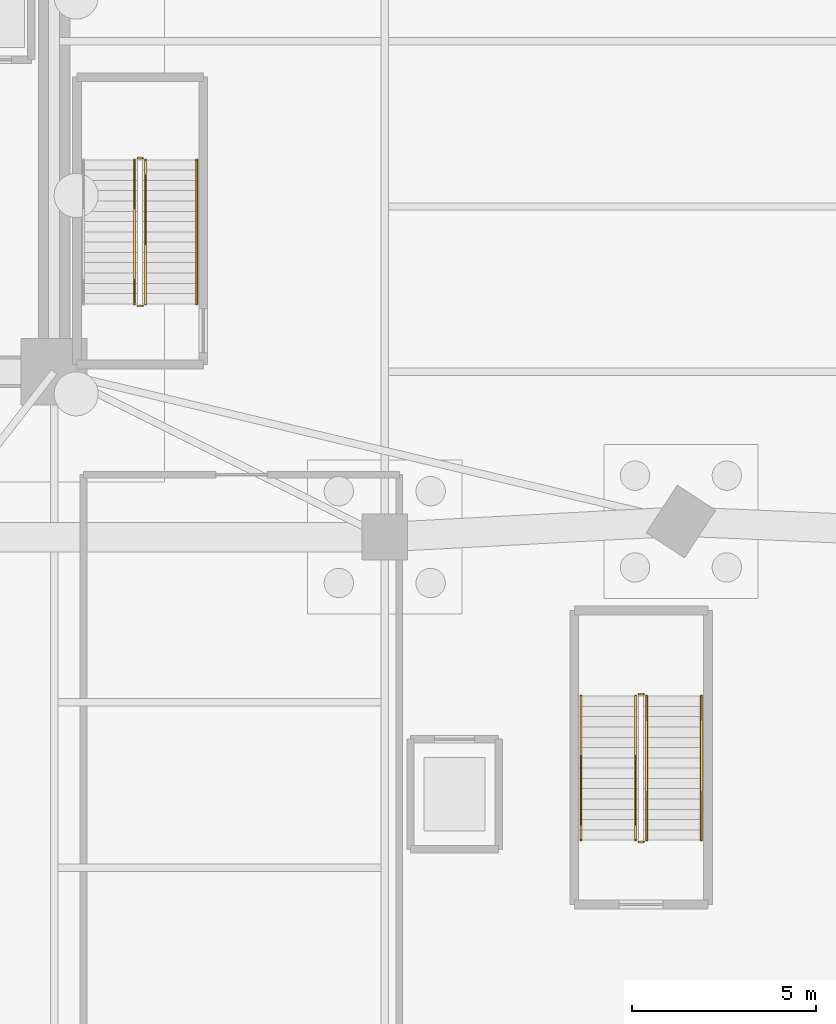
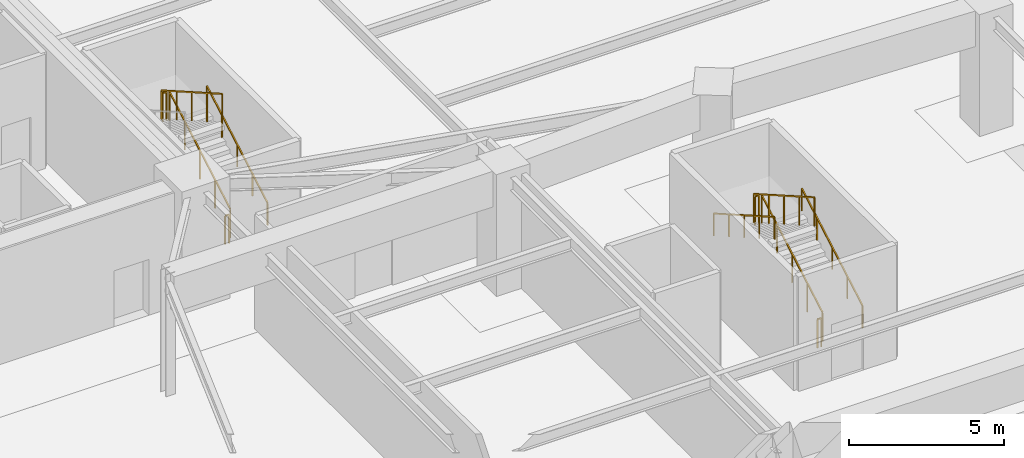
# One storey, part 17 of 19: 11 railings.
"""IFC4 building model written with IfcOpenShell, lengths in metres."""

from ifc_helpers import new_model, si_unit, direction, frame, origin, origin_2d, place, context, subcontext, project, spatial, rectangle, extrude, material, type_object, element, save


model = new_model("IFC4")

# Units and contexts
model_context = context("Model", 3, precision=1e-05, world=origin(), true_north=direction((0.0, 1.0)))
body_context = subcontext(model_context, "Body", "Model", "MODEL_VIEW")
ifc_project = project(units=[si_unit("LENGTHUNIT", "METRE"), si_unit("AREAUNIT", "SQUARE_METRE"), si_unit("VOLUMEUNIT", "CUBIC_METRE"), si_unit("PLANEANGLEUNIT", "RADIAN"), si_unit("MASSUNIT", "GRAM", prefix="KILO")], contexts=[model_context])

# Site, building, storey
site_placement = place(None, origin())
site = spatial("IfcSite", under=ifc_project, at=site_placement, CompositionType="ELEMENT")
building_placement = place(site_placement, origin())
building = spatial("IfcBuilding", under=site, at=building_placement, Name="Liaohun Quay Tower", CompositionType="ELEMENT")
storey_placement = place(building_placement, frame((0.0, 0.0, -9.60009765625)))
storey = spatial("IfcBuildingStorey", under=building, at=storey_placement, Name="B2", CompositionType="ELEMENT", Elevation=-9.60009765625)

# Railings
ifc_material_1 = material(Name="Painted tubular steel", Category="steel")
railing_type_1 = type_object("IfcRailingType", Name="RLG-GUARD-STR", PredefinedType="GUARDRAIL", material=ifc_material_1)
railing_1_placement = place(storey_placement, frame((71.489990234375, 48.35009765625, 0.16015625)))
element("IfcRailing", 1, at=railing_1_placement, inside=storey, type_object=railing_type_1, Name="B2 ST-2 stair guard 1", PredefinedType="GUARDRAIL", context=body_context, shape_type="SweptSolid", body=[
    extrude(rectangle(XDim=0.048095703125, YDim=0.048095703125, at=origin_2d()), frame((0.0, 0.0, 1.1259765625), z_axis=(0.0, 0.868239814368, 0.496144761885), x_axis=(-1.0, 0.0, 0.0)), (0.0, 0.0, 1.0), 4.514892578125),
    extrude(rectangle(XDim=0.0419921875, YDim=0.0419921875, at=origin_2d()), origin(), (0.0, 0.0, 1.0), 1.101806640625),
    extrude(rectangle(XDim=0.0419921875, YDim=0.0419921875, at=origin_2d()), frame((0.0, 0.97998046875, 0.56005859375)), (0.0, 0.0, 1.0), 1.101806640625),
    extrude(rectangle(XDim=0.0419921875, YDim=0.0419921875, at=origin_2d()), frame((0.0, 1.9599609375, 1.1201171875)), (0.0, 0.0, 1.0), 1.101806640625),
    extrude(rectangle(XDim=0.0419921875, YDim=0.0419921875, at=origin_2d()), frame((0.0, 2.93994140625, 1.679931640625)), (0.0, 0.0, 1.0), 1.101806640625),
    extrude(rectangle(XDim=0.0419921875, YDim=0.0419921875, at=origin_2d()), frame((0.0, 3.919921875, 2.239990234375)), (0.0, 0.0, 1.0), 1.101806640625),
])
railing_2_placement = place(storey_placement, frame((71.409912109375, 52.320068359375, 2.400146484375)))
element("IfcRailing", 2, at=railing_2_placement, inside=storey, type_object=railing_type_1, Name="B2 ST-2 stair guard 2", PredefinedType="GUARDRAIL", context=body_context, shape_type="SweptSolid", body=[
    extrude(rectangle(XDim=0.048095703125, YDim=0.048095703125, at=origin_2d()), frame((0.0, 0.0, 1.1259765625), z_axis=(-1.0, 0.0, 0.0), x_axis=(0.0, -1.0, 0.0)), (0.0, 0.0, 1.0), 0.139892578125),
    extrude(rectangle(XDim=0.0419921875, YDim=0.0419921875, at=origin_2d()), origin(), (0.0, 0.0, 1.0), 1.101806640625),
    extrude(rectangle(XDim=0.0419921875, YDim=0.0419921875, at=origin_2d()), frame((-0.139892578125, 0.0, 0.0)), (0.0, 0.0, 1.0), 1.101806640625),
])
railing_3_placement = place(storey_placement, frame((71.18994140625, 52.27001953125, 2.56005859375)))
element("IfcRailing", 3, at=railing_3_placement, inside=storey, type_object=railing_type_1, Name="B2 ST-2 stair guard 3", PredefinedType="GUARDRAIL", context=body_context, shape_type="SweptSolid", body=[
    extrude(rectangle(XDim=0.048095703125, YDim=0.048095703125, at=origin_2d()), frame((0.0, 0.0, 1.1259765625), z_axis=(0.0, -0.868239814368, 0.496144761885), x_axis=(1.0, 0.0, 0.0)), (0.0, 0.0, 1.0), 4.514892578125),
    extrude(rectangle(XDim=0.0419921875, YDim=0.0419921875, at=origin_2d()), origin(), (0.0, 0.0, 1.0), 1.101806640625),
    extrude(rectangle(XDim=0.0419921875, YDim=0.0419921875, at=origin_2d()), frame((0.0, -0.97998046875, 0.56005859375)), (0.0, 0.0, 1.0), 1.101806640625),
    extrude(rectangle(XDim=0.0419921875, YDim=0.0419921875, at=origin_2d()), frame((0.0, -1.9599609375, 1.1201171875)), (0.0, 0.0, 1.0), 1.101806640625),
    extrude(rectangle(XDim=0.0419921875, YDim=0.0419921875, at=origin_2d()), frame((0.0, -2.93994140625, 1.679931640625)), (0.0, 0.0, 1.0), 1.101806640625),
    extrude(rectangle(XDim=0.0419921875, YDim=0.0419921875, at=origin_2d()), frame((0.0, -3.919921875, 2.239990234375)), (0.0, 0.0, 1.0), 1.101806640625),
])
railing_4_placement = place(storey_placement, frame((71.409912109375, 48.300048828125, 0.0)))
element("IfcRailing", 4, at=railing_4_placement, inside=storey, type_object=railing_type_1, Name="B2 ST-2 stair guard 4", PredefinedType="GUARDRAIL", context=body_context, shape_type="SweptSolid", body=[
    extrude(rectangle(XDim=0.048095703125, YDim=0.048095703125, at=origin_2d()), frame((0.0, 0.0, 1.1259765625), z_axis=(-1.0, 0.0, 0.0), x_axis=(0.0, -1.0, 0.0)), (0.0, 0.0, 1.0), 0.139892578125),
    extrude(rectangle(XDim=0.0419921875, YDim=0.0419921875, at=origin_2d()), origin(), (0.0, 0.0, 1.0), 1.101806640625),
    extrude(rectangle(XDim=0.0419921875, YDim=0.0419921875, at=origin_2d()), frame((-0.139892578125, 0.0, 0.0)), (0.0, 0.0, 1.0), 1.101806640625),
])
railing_5_placement = place(storey_placement, frame((85.1298828125, 33.75, 0.16015625)))
element("IfcRailing", 5, at=railing_5_placement, inside=storey, type_object=railing_type_1, Name="B2 ST-P2 stair guard 1", PredefinedType="GUARDRAIL", context=body_context, shape_type="SweptSolid", body=[
    extrude(rectangle(XDim=0.048095703125, YDim=0.048095703125, at=origin_2d()), frame((0.0, 0.0, 1.1259765625), z_axis=(0.0, 0.868239814368, 0.496144761885), x_axis=(-1.0, 0.0, 0.0)), (0.0, 0.0, 1.0), 4.514892578125),
    extrude(rectangle(XDim=0.0419921875, YDim=0.0419921875, at=origin_2d()), origin(), (0.0, 0.0, 1.0), 1.101806640625),
    extrude(rectangle(XDim=0.0419921875, YDim=0.0419921875, at=origin_2d()), frame((0.0, 0.97998046875, 0.56005859375)), (0.0, 0.0, 1.0), 1.101806640625),
    extrude(rectangle(XDim=0.0419921875, YDim=0.0419921875, at=origin_2d()), frame((0.0, 1.9599609375, 1.1201171875)), (0.0, 0.0, 1.0), 1.101806640625),
    extrude(rectangle(XDim=0.0419921875, YDim=0.0419921875, at=origin_2d()), frame((0.0, 2.93994140625, 1.679931640625)), (0.0, 0.0, 1.0), 1.101806640625),
    extrude(rectangle(XDim=0.0419921875, YDim=0.0419921875, at=origin_2d()), frame((0.0, 3.919921875, 2.239990234375)), (0.0, 0.0, 1.0), 1.101806640625),
])
railing_6_placement = place(storey_placement, frame((85.050048828125, 37.719970703125, 2.400146484375)))
element("IfcRailing", 6, at=railing_6_placement, inside=storey, type_object=railing_type_1, Name="B2 ST-P2 stair guard 2", PredefinedType="GUARDRAIL", context=body_context, shape_type="SweptSolid", body=[
    extrude(rectangle(XDim=0.048095703125, YDim=0.048095703125, at=origin_2d()), frame((0.0, 0.0, 1.1259765625), z_axis=(-1.0, 0.0, 0.0), x_axis=(0.0, -1.0, 0.0)), (0.0, 0.0, 1.0), 0.14013671875),
    extrude(rectangle(XDim=0.0419921875, YDim=0.0419921875, at=origin_2d()), origin(), (0.0, 0.0, 1.0), 1.101806640625),
    extrude(rectangle(XDim=0.0419921875, YDim=0.0419921875, at=origin_2d()), frame((-0.14013671875, 0.0, 0.0)), (0.0, 0.0, 1.0), 1.101806640625),
])
railing_7_placement = place(storey_placement, frame((84.830078125, 37.669921875, 2.56005859375)))
element("IfcRailing", 7, at=railing_7_placement, inside=storey, type_object=railing_type_1, Name="B2 ST-P2 stair guard 3", PredefinedType="GUARDRAIL", context=body_context, shape_type="SweptSolid", body=[
    extrude(rectangle(XDim=0.048095703125, YDim=0.048095703125, at=origin_2d()), frame((0.0, 0.0, 1.1259765625), z_axis=(0.0, -0.868239814368, 0.496144761885), x_axis=(1.0, 0.0, 0.0)), (0.0, 0.0, 1.0), 4.514892578125),
    extrude(rectangle(XDim=0.0419921875, YDim=0.0419921875, at=origin_2d()), origin(), (0.0, 0.0, 1.0), 1.101806640625),
    extrude(rectangle(XDim=0.0419921875, YDim=0.0419921875, at=origin_2d()), frame((0.0, -0.97998046875, 0.56005859375)), (0.0, 0.0, 1.0), 1.101806640625),
    extrude(rectangle(XDim=0.0419921875, YDim=0.0419921875, at=origin_2d()), frame((0.0, -1.9599609375, 1.1201171875)), (0.0, 0.0, 1.0), 1.101806640625),
    extrude(rectangle(XDim=0.0419921875, YDim=0.0419921875, at=origin_2d()), frame((0.0, -2.93994140625, 1.679931640625)), (0.0, 0.0, 1.0), 1.101806640625),
    extrude(rectangle(XDim=0.0419921875, YDim=0.0419921875, at=origin_2d()), frame((0.0, -3.919921875, 2.239990234375)), (0.0, 0.0, 1.0), 1.101806640625),
])
railing_8_placement = place(storey_placement, frame((85.050048828125, 33.699951171875, 0.0)))
element("IfcRailing", 8, at=railing_8_placement, inside=storey, type_object=railing_type_1, Name="B2 ST-P2 stair guard 4", PredefinedType="GUARDRAIL", context=body_context, shape_type="SweptSolid", body=[
    extrude(rectangle(XDim=0.048095703125, YDim=0.048095703125, at=origin_2d()), frame((0.0, 0.0, 1.1259765625), z_axis=(-1.0, 0.0, 0.0), x_axis=(0.0, -1.0, 0.0)), (0.0, 0.0, 1.0), 0.14013671875),
    extrude(rectangle(XDim=0.0419921875, YDim=0.0419921875, at=origin_2d()), origin(), (0.0, 0.0, 1.0), 1.101806640625),
    extrude(rectangle(XDim=0.0419921875, YDim=0.0419921875, at=origin_2d()), frame((-0.14013671875, 0.0, 0.0)), (0.0, 0.0, 1.0), 1.101806640625),
])
ifc_material_2 = material(Name="Brushed stainless steel", Category="steel")
railing_type_2 = type_object("IfcRailingType", Name="RLG-HND-STR", PredefinedType="HANDRAIL", material=ifc_material_2)
for number, where, name in (
    (9, (72.8798828125, 48.35009765625, 0.16015625), "B2 ST-2 stair handrail 1"),
    (10, (86.6201171875, 33.75, 0.16015625), "B2 ST-P2 stair handrail 1"),
):
    element("IfcRailing", number, at=place(storey_placement, frame(where)), inside=storey, type_object=railing_type_2, Name=name, PredefinedType="HANDRAIL", context=body_context, shape_type="SweptSolid", body=[
        extrude(rectangle(XDim=0.048095703125, YDim=0.048095703125, at=origin_2d()), frame((0.0, 0.0, 0.8759765625), z_axis=(0.0, 0.868239814368, 0.496144761885), x_axis=(-1.0, 0.0, 0.0)), (0.0, 0.0, 1.0), 4.514892578125),
        extrude(rectangle(XDim=0.0419921875, YDim=0.0419921875, at=origin_2d()), origin(), (0.0, 0.0, 1.0), 0.851806640625),
        extrude(rectangle(XDim=0.0419921875, YDim=0.0419921875, at=origin_2d()), frame((0.0, 0.97998046875, 0.56005859375)), (0.0, 0.0, 1.0), 0.851806640625),
        extrude(rectangle(XDim=0.0419921875, YDim=0.0419921875, at=origin_2d()), frame((0.0, 1.9599609375, 1.1201171875)), (0.0, 0.0, 1.0), 0.851806640625),
        extrude(rectangle(XDim=0.0419921875, YDim=0.0419921875, at=origin_2d()), frame((0.0, 2.93994140625, 1.679931640625)), (0.0, 0.0, 1.0), 0.851806640625),
        extrude(rectangle(XDim=0.0419921875, YDim=0.0419921875, at=origin_2d()), frame((0.0, 3.919921875, 2.239990234375)), (0.0, 0.0, 1.0), 0.851806640625),
    ])
railing_9_placement = place(storey_placement, frame((83.340087890625, 37.669921875, 2.56005859375)))
element("IfcRailing", 11, at=railing_9_placement, inside=storey, type_object=railing_type_2, Name="B2 ST-P2 stair handrail 2", PredefinedType="HANDRAIL", context=body_context, shape_type="SweptSolid", body=[
    extrude(rectangle(XDim=0.048095703125, YDim=0.048095703125, at=origin_2d()), frame((0.0, 0.0, 0.8759765625), z_axis=(0.0, -0.868239814368, 0.496144761885), x_axis=(1.0, 0.0, 0.0)), (0.0, 0.0, 1.0), 4.514892578125),
    extrude(rectangle(XDim=0.0419921875, YDim=0.0419921875, at=origin_2d()), origin(), (0.0, 0.0, 1.0), 0.851806640625),
    extrude(rectangle(XDim=0.0419921875, YDim=0.0419921875, at=origin_2d()), frame((0.0, -0.97998046875, 0.56005859375)), (0.0, 0.0, 1.0), 0.851806640625),
    extrude(rectangle(XDim=0.0419921875, YDim=0.0419921875, at=origin_2d()), frame((0.0, -1.9599609375, 1.1201171875)), (0.0, 0.0, 1.0), 0.851806640625),
    extrude(rectangle(XDim=0.0419921875, YDim=0.0419921875, at=origin_2d()), frame((0.0, -2.93994140625, 1.679931640625)), (0.0, 0.0, 1.0), 0.851806640625),
    extrude(rectangle(XDim=0.0419921875, YDim=0.0419921875, at=origin_2d()), frame((0.0, -3.919921875, 2.239990234375)), (0.0, 0.0, 1.0), 0.851806640625),
])

save(model, "model.ifc")
